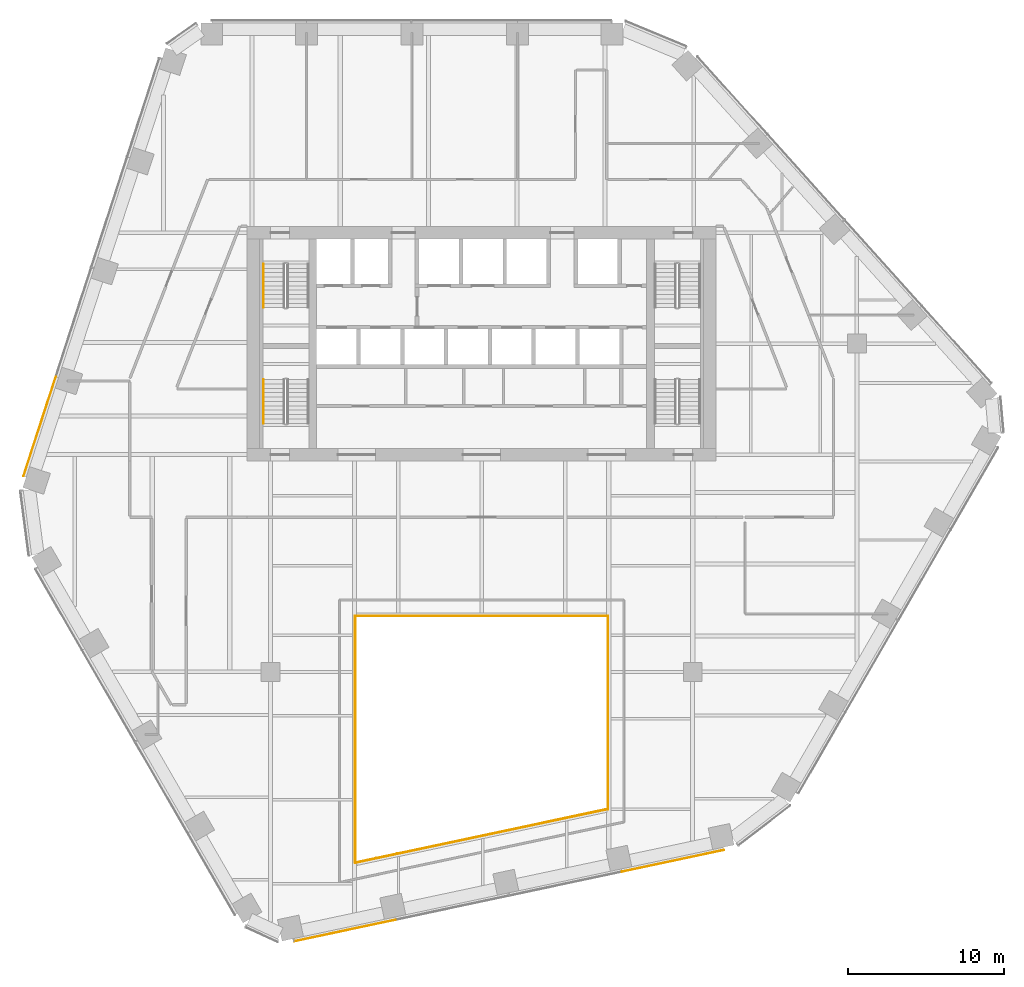
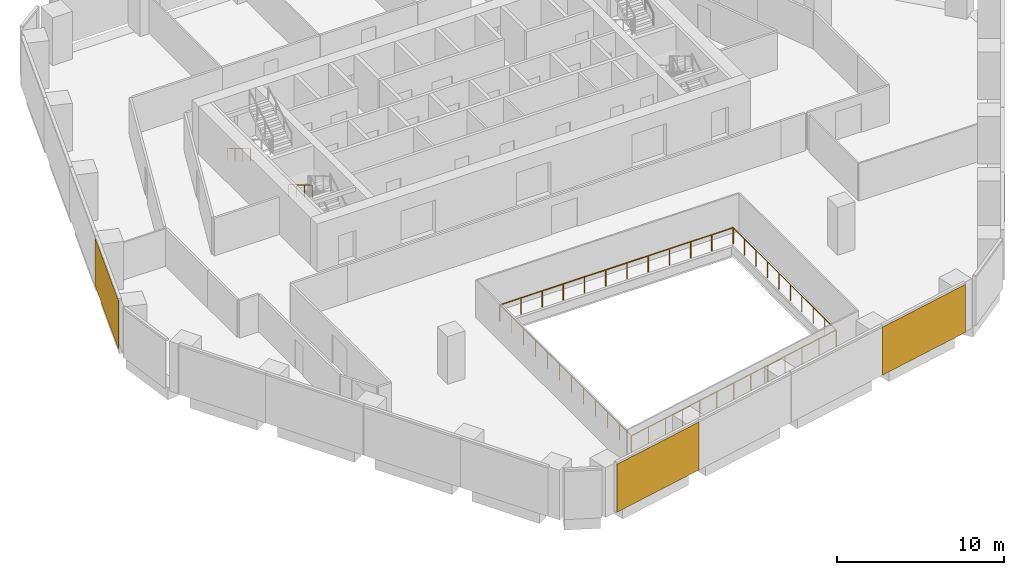
# One storey, part 14 of 16: 6 railings, 3 coverings, 2 elements without a shape of their own.
"""IFC4 building model written with IfcOpenShell, lengths in metres."""

from ifc_helpers import new_model, si_unit, direction, frame, origin, origin_2d, place, context, subcontext, project, spatial, rectangle, circle, extrude, material, layer, layer_set, type_object, element, aggregate, save


model = new_model("IFC4")

# Units and contexts
model_context = context("Model", 3, precision=1e-05, world=origin(), true_north=direction((0.0, 1.0)))
body_context = subcontext(model_context, "Body", "Model", "MODEL_VIEW")
ifc_project = project(units=[si_unit("LENGTHUNIT", "METRE"), si_unit("AREAUNIT", "SQUARE_METRE"), si_unit("VOLUMEUNIT", "CUBIC_METRE"), si_unit("PLANEANGLEUNIT", "RADIAN"), si_unit("MASSUNIT", "GRAM", prefix="KILO")], contexts=[model_context])

# Site, building, storey
site_placement = place(None, origin())
site = spatial("IfcSite", under=ifc_project, at=site_placement, CompositionType="ELEMENT")
building_placement = place(site_placement, origin())
building = spatial("IfcBuilding", under=site, at=building_placement, Name="Isthmus Gate Tower", CompositionType="ELEMENT")
storey_placement = place(building_placement, frame((0.0, 0.0, 133.449951171875)))
storey = spatial("IfcBuildingStorey", under=building, at=storey_placement, Name="L32", CompositionType="ELEMENT", Elevation=133.449951171875)

# Railings
ifc_material_1 = material(Name="Laminated toughened glass balustrade with steel rail", Category="steel")
railing_type_1 = type_object("IfcRailingType", Name="ATRIUM GUARD GLASS BALUSTRADE 1200", PredefinedType="GUARDRAIL", material=ifc_material_1)
railing_1_placement = place(storey_placement, frame((-8.080078125, -25.7099609375, 0.0)))
element("IfcRailing", 1, at=railing_1_placement, inside=storey, type_object=railing_type_1, Name="L32 atrium guard", PredefinedType="GUARDRAIL", context=body_context, shape_type="SweptSolid", body=[
    extrude(circle(Radius=0.02490234375, at=origin_2d()), frame((0.0, 0.0, 1.1748046875), z_axis=(0.0, 1.0, 0.0), x_axis=(-1.0, 0.0, 0.0)), (0.0, 0.0, 1.0), 15.7900390625),
    extrude(circle(Radius=0.02490234375, at=origin_2d()), origin(), (0.0, 0.0, 1.0), 1.14990234375),
    extrude(circle(Radius=0.02490234375, at=origin_2d()), frame((0.0, 1.435546875, 0.0)), (0.0, 0.0, 1.0), 1.14990234375),
    extrude(circle(Radius=0.02490234375, at=origin_2d()), frame((0.0, 2.870849609375, 0.0)), (0.0, 0.0, 1.0), 1.14990234375),
    extrude(circle(Radius=0.02490234375, at=origin_2d()), frame((0.0, 4.306396484375, 0.0)), (0.0, 0.0, 1.0), 1.14990234375),
    extrude(circle(Radius=0.02490234375, at=origin_2d()), frame((0.0, 5.741943359375, 0.0)), (0.0, 0.0, 1.0), 1.14990234375),
    extrude(circle(Radius=0.02490234375, at=origin_2d()), frame((0.0, 7.17724609375, 0.0)), (0.0, 0.0, 1.0), 1.14990234375),
    extrude(circle(Radius=0.02490234375, at=origin_2d()), frame((0.0, 8.61279296875, 0.0)), (0.0, 0.0, 1.0), 1.14990234375),
    extrude(circle(Radius=0.02490234375, at=origin_2d()), frame((0.0, 10.048095703125, 0.0)), (0.0, 0.0, 1.0), 1.14990234375),
    extrude(circle(Radius=0.02490234375, at=origin_2d()), frame((0.0, 11.483642578125, 0.0)), (0.0, 0.0, 1.0), 1.14990234375),
    extrude(circle(Radius=0.02490234375, at=origin_2d()), frame((0.0, 12.919189453125, 0.0)), (0.0, 0.0, 1.0), 1.14990234375),
    extrude(circle(Radius=0.02490234375, at=origin_2d()), frame((0.0, 14.3544921875, 0.0)), (0.0, 0.0, 1.0), 1.14990234375),
    extrude(circle(Radius=0.02490234375, at=origin_2d()), frame((0.0, 15.7900390625, 0.0)), (0.0, 0.0, 1.0), 1.14990234375),
])
railing_2_placement = place(storey_placement, frame((-8.080078125, -9.919921875, 0.0)))
element("IfcRailing", 2, at=railing_2_placement, inside=storey, type_object=railing_type_1, Name="L32 atrium guard", PredefinedType="GUARDRAIL", context=body_context, shape_type="SweptSolid", body=[
    extrude(circle(Radius=0.02490234375, at=origin_2d()), frame((0.0, 0.0, 1.1748046875), z_axis=(1.0, 0.0, 0.0), x_axis=(0.0, 1.0, 0.0)), (0.0, 0.0, 1.0), 16.16015625),
    extrude(circle(Radius=0.02490234375, at=origin_2d()), origin(), (0.0, 0.0, 1.0), 1.14990234375),
    extrude(circle(Radius=0.02490234375, at=origin_2d()), frame((1.468994140625, 0.0, 0.0)), (0.0, 0.0, 1.0), 1.14990234375),
    extrude(circle(Radius=0.02490234375, at=origin_2d()), frame((2.938232421875, 0.0, 0.0)), (0.0, 0.0, 1.0), 1.14990234375),
    extrude(circle(Radius=0.02490234375, at=origin_2d()), frame((4.4072265625, 0.0, 0.0)), (0.0, 0.0, 1.0), 1.14990234375),
    extrude(circle(Radius=0.02490234375, at=origin_2d()), frame((5.87646484375, 0.0, 0.0)), (0.0, 0.0, 1.0), 1.14990234375),
    extrude(circle(Radius=0.02490234375, at=origin_2d()), frame((7.345458984375, 0.0, 0.0)), (0.0, 0.0, 1.0), 1.14990234375),
    extrude(circle(Radius=0.02490234375, at=origin_2d()), frame((8.814697265625, 0.0, 0.0)), (0.0, 0.0, 1.0), 1.14990234375),
    extrude(circle(Radius=0.02490234375, at=origin_2d()), frame((10.28369140625, 0.0, 0.0)), (0.0, 0.0, 1.0), 1.14990234375),
    extrude(circle(Radius=0.02490234375, at=origin_2d()), frame((11.7529296875, 0.0, 0.0)), (0.0, 0.0, 1.0), 1.14990234375),
    extrude(circle(Radius=0.02490234375, at=origin_2d()), frame((13.221923828125, 0.0, 0.0)), (0.0, 0.0, 1.0), 1.14990234375),
    extrude(circle(Radius=0.02490234375, at=origin_2d()), frame((14.691162109375, 0.0, 0.0)), (0.0, 0.0, 1.0), 1.14990234375),
    extrude(circle(Radius=0.02490234375, at=origin_2d()), frame((16.16015625, 0.0, 0.0)), (0.0, 0.0, 1.0), 1.14990234375),
])
railing_3_placement = place(storey_placement, frame((8.080078125, -9.919921875, 0.0)))
element("IfcRailing", 3, at=railing_3_placement, inside=storey, type_object=railing_type_1, Name="L32 atrium guard", PredefinedType="GUARDRAIL", context=body_context, shape_type="SweptSolid", body=[
    extrude(circle(Radius=0.02490234375, at=origin_2d()), frame((0.0, 0.0, 1.1748046875), z_axis=(0.0, -1.0, 0.0), x_axis=(1.0, 0.0, 0.0)), (0.0, 0.0, 1.0), 12.35498046875),
    extrude(circle(Radius=0.02490234375, at=origin_2d()), origin(), (0.0, 0.0, 1.0), 1.14990234375),
    extrude(circle(Radius=0.02490234375, at=origin_2d()), frame((0.0, -1.372802734375, 0.0)), (0.0, 0.0, 1.0), 1.14990234375),
    extrude(circle(Radius=0.02490234375, at=origin_2d()), frame((0.0, -2.74560546875, 0.0)), (0.0, 0.0, 1.0), 1.14990234375),
    extrude(circle(Radius=0.02490234375, at=origin_2d()), frame((0.0, -4.118408203125, 0.0)), (0.0, 0.0, 1.0), 1.14990234375),
    extrude(circle(Radius=0.02490234375, at=origin_2d()), frame((0.0, -5.4912109375, 0.0)), (0.0, 0.0, 1.0), 1.14990234375),
    extrude(circle(Radius=0.02490234375, at=origin_2d()), frame((0.0, -6.86376953125, 0.0)), (0.0, 0.0, 1.0), 1.14990234375),
    extrude(circle(Radius=0.02490234375, at=origin_2d()), frame((0.0, -8.236572265625, 0.0)), (0.0, 0.0, 1.0), 1.14990234375),
    extrude(circle(Radius=0.02490234375, at=origin_2d()), frame((0.0, -9.609375, 0.0)), (0.0, 0.0, 1.0), 1.14990234375),
    extrude(circle(Radius=0.02490234375, at=origin_2d()), frame((0.0, -10.982177734375, 0.0)), (0.0, 0.0, 1.0), 1.14990234375),
    extrude(circle(Radius=0.02490234375, at=origin_2d()), frame((0.0, -12.35498046875, 0.0)), (0.0, 0.0, 1.0), 1.14990234375),
])
railing_4_placement = place(storey_placement, frame((8.080078125, -22.27490234375, 0.0)))
element("IfcRailing", 4, at=railing_4_placement, inside=storey, type_object=railing_type_1, Name="L32 atrium guard", PredefinedType="GUARDRAIL", context=body_context, shape_type="SweptSolid", body=[
    extrude(circle(Radius=0.02490234375, at=origin_2d()), frame((0.0, 0.0, 1.1748046875), z_axis=(-0.978146230105, -0.207918139013, 0.0), x_axis=(0.207918139013, -0.978146230105, 0.0)), (0.0, 0.0, 1.0), 16.521240234375),
    extrude(circle(Radius=0.02490234375, at=origin_2d()), origin(), (0.0, 0.0, 1.0), 1.14990234375),
    extrude(circle(Radius=0.02490234375, at=origin_2d()), frame((-1.3466796875, -0.2861328125, 0.0)), (0.0, 0.0, 1.0), 1.14990234375),
    extrude(circle(Radius=0.02490234375, at=origin_2d()), frame((-2.693359375, -0.572509765625, 0.0)), (0.0, 0.0, 1.0), 1.14990234375),
    extrude(circle(Radius=0.02490234375, at=origin_2d()), frame((-4.0400390625, -0.85888671875, 0.0)), (0.0, 0.0, 1.0), 1.14990234375),
    extrude(circle(Radius=0.02490234375, at=origin_2d()), frame((-5.38671875, -1.14501953125, 0.0)), (0.0, 0.0, 1.0), 1.14990234375),
    extrude(circle(Radius=0.02490234375, at=origin_2d()), frame((-6.7333984375, -1.43115234375, 0.0)), (0.0, 0.0, 1.0), 1.14990234375),
    extrude(circle(Radius=0.02490234375, at=origin_2d()), frame((-8.080078125, -1.717529296875, 0.0)), (0.0, 0.0, 1.0), 1.14990234375),
    extrude(circle(Radius=0.02490234375, at=origin_2d()), frame((-9.4267578125, -2.00390625, 0.0)), (0.0, 0.0, 1.0), 1.14990234375),
    extrude(circle(Radius=0.02490234375, at=origin_2d()), frame((-10.7734375, -2.2900390625, 0.0)), (0.0, 0.0, 1.0), 1.14990234375),
    extrude(circle(Radius=0.02490234375, at=origin_2d()), frame((-12.1201171875, -2.576171875, 0.0)), (0.0, 0.0, 1.0), 1.14990234375),
    extrude(circle(Radius=0.02490234375, at=origin_2d()), frame((-13.466796875, -2.862548828125, 0.0)), (0.0, 0.0, 1.0), 1.14990234375),
    extrude(circle(Radius=0.02490234375, at=origin_2d()), frame((-14.8134765625, -3.14892578125, 0.0)), (0.0, 0.0, 1.0), 1.14990234375),
    extrude(circle(Radius=0.02490234375, at=origin_2d()), frame((-16.16015625, -3.43505859375, 0.0)), (0.0, 0.0, 1.0), 1.14990234375),
])

# Curtain wall, covering
ifc_material_2 = material(Name="Aluminium, pale champagne anodised", Category="aluminium")
ifc_layer_1 = layer(ifc_material_2, 0.199951171875)
ifc_layer_set_1 = layer_set([ifc_layer_1], Name="CW-1 UNITISED CURTAIN WALL 200 DEEP")
curtain_wall_type = type_object("IfcCurtainWallType", Name="CW-1 UNITISED CURTAIN WALL 200 DEEP", PredefinedType="NOTDEFINED", material=ifc_layer_set_1)
curtain_wall_1_placement = place(storey_placement, origin())
curtain_wall_1 = element("IfcCurtainWall", 5, at=curtain_wall_1_placement, inside=storey, type_object=curtain_wall_type, Name="CW-1 NW L32", PredefinedType="NOTDEFINED")
ifc_material_3 = material(Name="Aluminium composite panel, pale champagne anodised", Category="aluminium")
ifc_layer_2 = layer(ifc_material_3, 0.035888671875)
ifc_layer_set_2 = layer_set([ifc_layer_2], Name="CW-1 PALE METAL PANEL 36")
covering_type = type_object("IfcCoveringType", Name="CW-1 PALE METAL PANEL 36", PredefinedType="CLADDING", material=ifc_layer_set_2)
covering_1_placement = place(storey_placement, frame((-28.2734375, 2.202392578125, 0.0), z_axis=(0.0, 0.0, 1.0), x_axis=(-0.309016994375, -0.951056516295, 0.0)))
covering_1 = element("IfcCovering", 6, at=covering_1_placement, type_object=covering_type, Name="CW-1 pale metal panel", PredefinedType="CLADDING", context=body_context, shape_type="SweptSolid", body=[
    extrude(rectangle(XDim=6.690673828125, YDim=0.035888671875, at=origin_2d()), origin(), (0.0, 0.0, 1.0), 3.510009765625),
])
aggregate(curtain_wall_1, [covering_1])

# Curtain wall, coverings
curtain_wall_2_placement = place(storey_placement, origin())
curtain_wall_2 = element("IfcCurtainWall", 7, at=curtain_wall_2_placement, inside=storey, type_object=curtain_wall_type, Name="CW-1 S L32", PredefinedType="NOTDEFINED")
covering_2_placement = place(storey_placement, frame((-8.744384765625, -30.044677734375, 0.0), z_axis=(0.0, 0.0, 1.0), x_axis=(0.978147600734, 0.207911690818, 0.0)))
covering_2 = element("IfcCovering", 8, at=covering_2_placement, type_object=covering_type, Name="CW-1 pale metal panel", PredefinedType="CLADDING", context=body_context, shape_type="SweptSolid", body=[
    extrude(rectangle(XDim=6.630859375, YDim=0.035888671875, at=origin_2d()), origin(), (0.0, 0.0, 1.0), 3.510009765625),
])
covering_3_placement = place(storey_placement, frame((12.2294921875, -25.586669921875, 0.0), z_axis=(0.0, 0.0, 1.0), x_axis=(0.978147600734, 0.207911690818, 0.0)))
covering_3 = element("IfcCovering", 9, at=covering_3_placement, type_object=covering_type, Name="CW-1 pale metal panel", PredefinedType="CLADDING", context=body_context, shape_type="SweptSolid", body=[
    extrude(rectangle(XDim=6.690673828125, YDim=0.035888671875, at=origin_2d()), origin(), (0.0, 0.0, 1.0), 3.510009765625),
])
aggregate(curtain_wall_2, [covering_2, covering_3])

# Railings
ifc_material_4 = material(Name="Stainless steel handrail", Category="steel")
railing_type_2 = type_object("IfcRailingType", Name="STAIR HANDRAIL 900", PredefinedType="HANDRAIL", material=ifc_material_4)
railing_5_placement = place(storey_placement, frame((-13.949951171875, 12.60009765625, 0.166015625)))
element("IfcRailing", 10, at=railing_5_placement, inside=storey, type_object=railing_type_2, Name="L32 ST1 stair handrail 1", PredefinedType="HANDRAIL", context=body_context, shape_type="SweptSolid", body=[
    extrude(circle(Radius=0.02392578125, at=origin_2d()), frame((0.0, 0.0, 0.8759765625), z_axis=(0.0, -0.860339051648, 0.50972219513), x_axis=(1.0, 0.0, 0.0)), (0.0, 0.0, 1.0), 3.254638671875),
    extrude(circle(Radius=0.02099609375, at=origin_2d()), origin(), (0.0, 0.0, 1.0), 0.851806640625),
    extrude(circle(Radius=0.02099609375, at=origin_2d()), frame((0.0, -0.933349609375, 0.552978515625)), (0.0, 0.0, 1.0), 0.851806640625),
    extrude(circle(Radius=0.02099609375, at=origin_2d()), frame((0.0, -1.86669921875, 1.10595703125)), (0.0, 0.0, 1.0), 0.851806640625),
    extrude(circle(Radius=0.02099609375, at=origin_2d()), frame((0.0, -2.800048828125, 1.658935546875)), (0.0, 0.0, 1.0), 0.851806640625),
])
railing_6_placement = place(storey_placement, frame((-13.949951171875, 5.199951171875, 1.990966796875)))
element("IfcRailing", 11, at=railing_6_placement, inside=storey, type_object=railing_type_2, Name="L32 ST7 stair handrail 2", PredefinedType="HANDRAIL", context=body_context, shape_type="SweptSolid", body=[
    extrude(circle(Radius=0.02392578125, at=origin_2d()), frame((0.0, 0.0, 0.8759765625), z_axis=(0.0, -0.860306154799, 0.50977771628), x_axis=(1.0, 0.0, 0.0)), (0.0, 0.0, 1.0), 3.254638671875),
    extrude(circle(Radius=0.02099609375, at=origin_2d()), origin(), (0.0, 0.0, 1.0), 0.851806640625),
    extrude(circle(Radius=0.02099609375, at=origin_2d()), frame((0.0, -0.933349609375, 0.552978515625)), (0.0, 0.0, 1.0), 0.851806640625),
    extrude(circle(Radius=0.02099609375, at=origin_2d()), frame((0.0, -1.86669921875, 1.106201171875)), (0.0, 0.0, 1.0), 0.851806640625),
    extrude(circle(Radius=0.02099609375, at=origin_2d()), frame((0.0, -2.800048828125, 1.6591796875)), (0.0, 0.0, 1.0), 0.851806640625),
])

save(model, "model.ifc")
